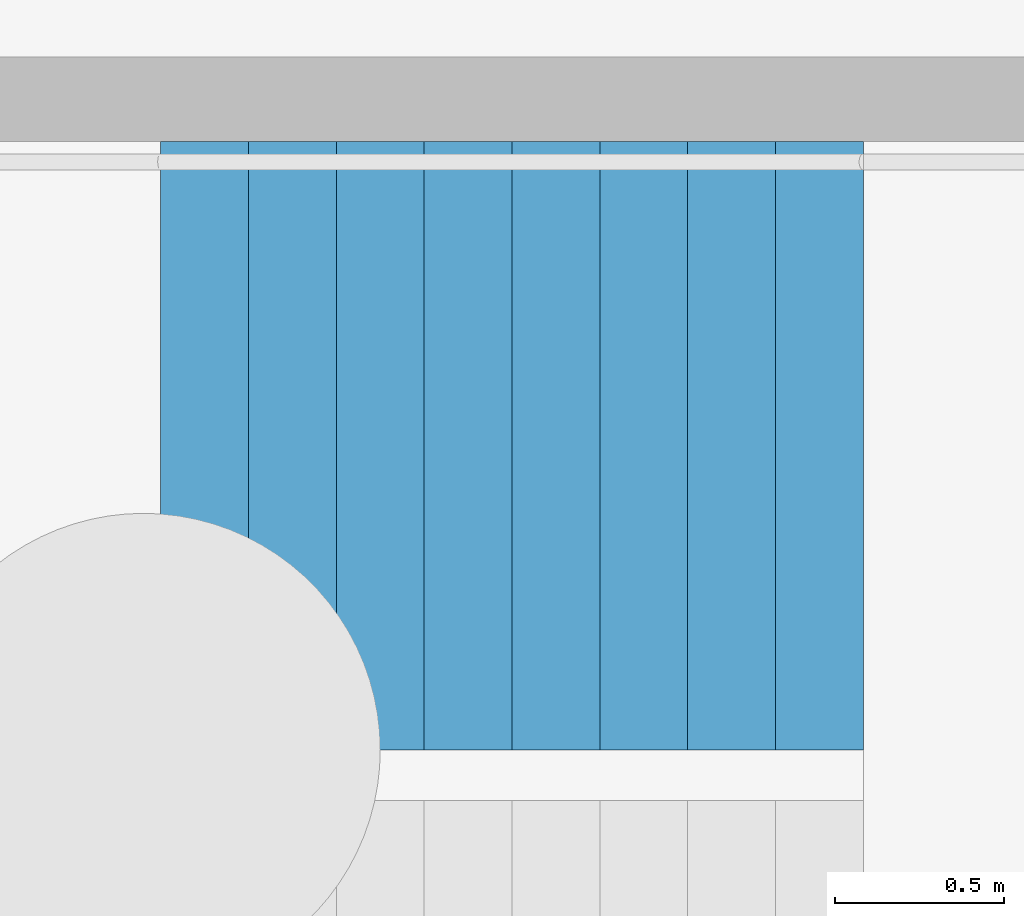
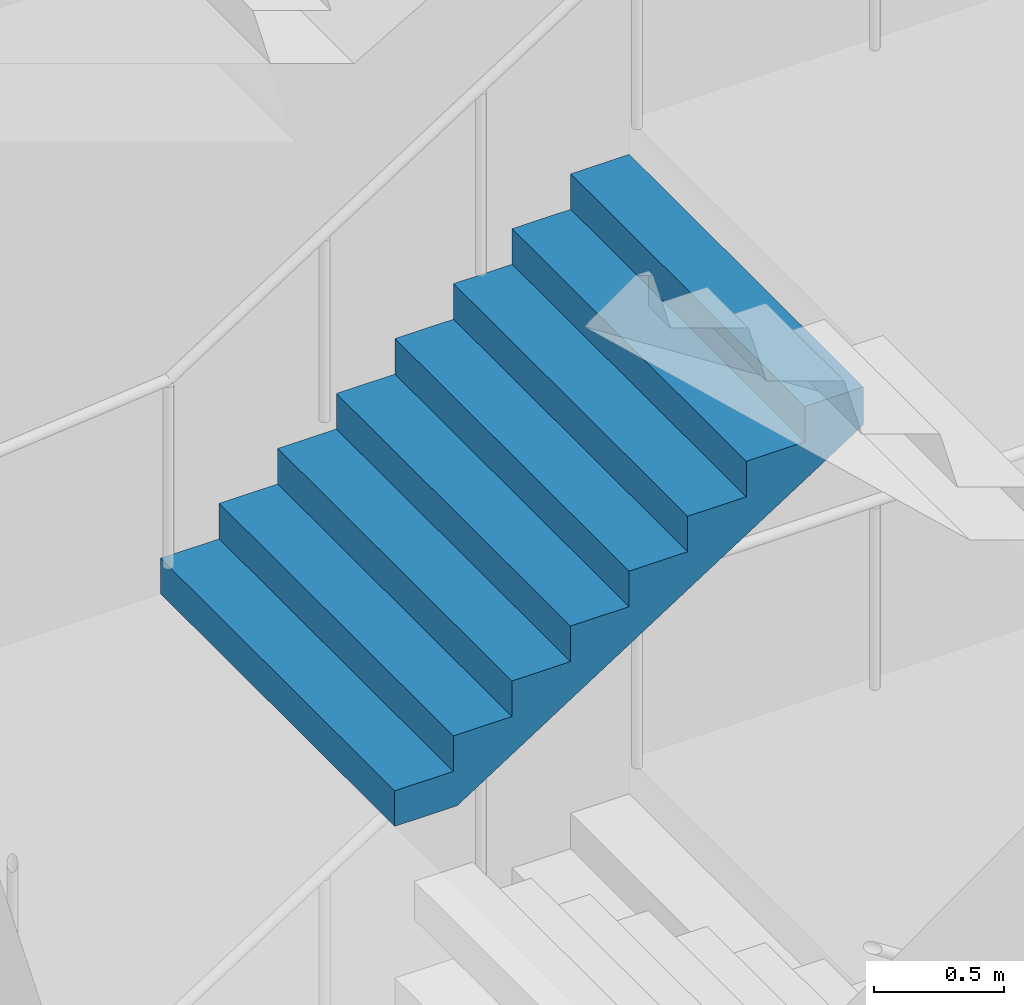
# One storey, part 76 of 113: 1 stair flight, 1 element without a shape of its own.
"""IFC4 building model written with IfcOpenShell, lengths in metres."""

from ifc_helpers import new_model, si_unit, direction, frame, origin, place, context, subcontext, project, spatial, triangles, material, type_object, element, aggregate, save


model = new_model("IFC4")

# Units and contexts
model_context = context("Model", 3, precision=1e-05, world=origin(), true_north=direction((0.0, 1.0)))
body_context = subcontext(model_context, "Body", "Model", "MODEL_VIEW")
ifc_project = project(units=[si_unit("LENGTHUNIT", "METRE"), si_unit("AREAUNIT", "SQUARE_METRE"), si_unit("VOLUMEUNIT", "CUBIC_METRE"), si_unit("PLANEANGLEUNIT", "RADIAN"), si_unit("MASSUNIT", "GRAM", prefix="KILO")], contexts=[model_context])

# Site, building, storey
site_placement = place(None, origin())
site = spatial("IfcSite", under=ifc_project, at=site_placement, CompositionType="ELEMENT")
building_placement = place(site_placement, origin())
building = spatial("IfcBuilding", under=site, at=building_placement, Name="Hakoniwa Tower and Hamabe Station Hall", CompositionType="ELEMENT")
storey_placement = place(building_placement, origin())
storey = spatial("IfcBuildingStorey", under=building, at=storey_placement, Name="L01", CompositionType="ELEMENT", Elevation=0.0)

# Stair, stair flight
ifc_material_1 = material(Name="Concrete C40", Category="concrete")
stair_type = type_object("IfcStairType", Name="ESCAPE STAIR 1800", PredefinedType="HALF_TURN_STAIR", material=ifc_material_1)
stair_placement = place(storey_placement, origin())
stair = element("IfcStair", 1, at=stair_placement, inside=storey, type_object=stair_type, Name="Escape stair ST-4 L01", PredefinedType="HALF_TURN_STAIR")
ifc_material_2 = material(Name="Concrete C40", Category="concrete")
stair_flight_type = type_object("IfcStairFlightType", Name="STAIR FLIGHT 1800", PredefinedType="STRAIGHT", material=ifc_material_2)
stair_flight_placement = place(storey_placement, frame((23.39990234375, -4.64990234375, 3.0), z_axis=(0.0, 0.0, 1.0), x_axis=(1.0, 0.0, 0.0)))
stair_flight = element("IfcStairFlight", 2, at=stair_flight_placement, type_object=stair_flight_type, Name="ST-4 flight 3", NumberOfRisers=9, NumberOfTreads=8, PredefinedType="STRAIGHT", RiserHeight=0.166666667, TreadLength=0.26, context=body_context, shape_type="Tessellation", body=[
    triangles([(0.0, 0.89990234375, 0.0), (0.260009765625, 0.89990234375, 0.0), (0.27783203125, 0.89990234375, 0.0), (0.52001953125, 0.89990234375, 0.1552734375), (0.780029296875, 0.89990234375, 0.322021484375), (1.0400390625, 0.89990234375, 0.488525390625), (1.300048828125, 0.89990234375, 0.6552734375), (1.56005859375, 0.89990234375, 0.822021484375), (1.820068359375, 0.89990234375, 0.988525390625), (2.080078125, 0.89990234375, 1.1552734375), (2.080078125, 0.89990234375, 1.333251953125), (1.820068359375, 0.89990234375, 1.333251953125), (1.820068359375, 0.89990234375, 1.166748046875), (1.56005859375, 0.89990234375, 1.166748046875), (1.56005859375, 0.89990234375, 1.0), (1.300048828125, 0.89990234375, 1.0), (1.300048828125, 0.89990234375, 0.833251953125), (1.0400390625, 0.89990234375, 0.833251953125), (1.0400390625, 0.89990234375, 0.666748046875), (0.780029296875, 0.89990234375, 0.666748046875), (0.780029296875, 0.89990234375, 0.5), (0.52001953125, 0.89990234375, 0.5), (0.52001953125, 0.89990234375, 0.333251953125), (0.27783203125, 0.89990234375, 0.333251953125), (0.260009765625, 0.89990234375, 0.333251953125), (0.260009765625, 0.89990234375, 0.166748046875), (0.0, 0.89990234375, 0.166748046875), (0.0, 0.06005859375, 0.0), (0.260009765625, 0.06005859375, 0.0), (0.27783203125, 0.06005859375, 0.0), (0.52001953125, 0.06005859375, 0.1552734375), (0.780029296875, 0.06005859375, 0.322021484375), (1.0400390625, 0.06005859375, 0.488525390625), (1.300048828125, 0.06005859375, 0.6552734375), (1.56005859375, 0.06005859375, 0.822021484375), (1.820068359375, 0.06005859375, 0.988525390625), (2.080078125, 0.06005859375, 1.1552734375), (2.080078125, 0.06005859375, 1.333251953125), (1.820068359375, 0.06005859375, 1.333251953125), (1.820068359375, 0.06005859375, 1.166748046875), (1.56005859375, 0.06005859375, 1.166748046875), (1.56005859375, 0.06005859375, 1.0), (1.300048828125, 0.06005859375, 1.0), (1.300048828125, 0.06005859375, 0.833251953125), (1.0400390625, 0.06005859375, 0.833251953125), (1.0400390625, 0.06005859375, 0.666748046875), (0.780029296875, 0.06005859375, 0.666748046875), (0.780029296875, 0.06005859375, 0.5), (0.52001953125, 0.06005859375, 0.5), (0.52001953125, 0.06005859375, 0.333251953125), (0.27783203125, 0.06005859375, 0.333251953125), (0.260009765625, 0.06005859375, 0.333251953125), (0.260009765625, 0.06005859375, 0.166748046875), (0.0, 0.06005859375, 0.166748046875), (0.0, 0.04296875, 0.0), (0.260009765625, 0.04296875, 0.0), (0.27783203125, 0.04296875, 0.0), (0.52001953125, 0.04296875, 0.1552734375), (0.780029296875, 0.04296875, 0.322021484375), (1.0400390625, 0.04296875, 0.488525390625), (1.300048828125, 0.04296875, 0.6552734375), (1.56005859375, 0.04296875, 0.822021484375), (1.820068359375, 0.04296875, 0.988525390625), (2.080078125, 0.04296875, 1.1552734375), (2.080078125, 0.04296875, 1.333251953125), (1.820068359375, 0.04296875, 1.333251953125), (1.820068359375, 0.04296875, 1.166748046875), (1.56005859375, 0.04296875, 1.166748046875), (1.56005859375, 0.04296875, 1.0), (1.300048828125, 0.04296875, 1.0), (1.300048828125, 0.04296875, 0.833251953125), (1.0400390625, 0.04296875, 0.833251953125), (1.0400390625, 0.04296875, 0.666748046875), (0.780029296875, 0.04296875, 0.666748046875), (0.780029296875, 0.04296875, 0.5), (0.52001953125, 0.04296875, 0.5), (0.52001953125, 0.04296875, 0.333251953125), (0.27783203125, 0.04296875, 0.333251953125), (0.260009765625, 0.04296875, 0.333251953125), (0.260009765625, 0.04296875, 0.166748046875), (0.0, 0.04296875, 0.166748046875), (0.0, 0.025634765625, 0.0), (0.260009765625, 0.025634765625, 0.0), (0.27783203125, 0.025634765625, 0.0), (0.52001953125, 0.025634765625, 0.1552734375), (0.780029296875, 0.025634765625, 0.322021484375), (1.0400390625, 0.025634765625, 0.488525390625), (1.300048828125, 0.025634765625, 0.6552734375), (1.56005859375, 0.025634765625, 0.822021484375), (1.820068359375, 0.025634765625, 0.988525390625), (2.080078125, 0.025634765625, 1.1552734375), (2.080078125, 0.025634765625, 1.333251953125), (1.820068359375, 0.025634765625, 1.333251953125), (1.820068359375, 0.025634765625, 1.166748046875), (1.56005859375, 0.025634765625, 1.166748046875), (1.56005859375, 0.025634765625, 1.0), (1.300048828125, 0.025634765625, 1.0), (1.300048828125, 0.025634765625, 0.833251953125), (1.0400390625, 0.025634765625, 0.833251953125), (1.0400390625, 0.025634765625, 0.666748046875), (0.780029296875, 0.025634765625, 0.666748046875), (0.780029296875, 0.025634765625, 0.5), (0.52001953125, 0.025634765625, 0.5), (0.52001953125, 0.025634765625, 0.333251953125), (0.27783203125, 0.025634765625, 0.333251953125), (0.260009765625, 0.025634765625, 0.333251953125), (0.260009765625, 0.025634765625, 0.166748046875), (0.0, 0.025634765625, 0.166748046875), (0.0, 0.008544921875, 0.0), (0.260009765625, 0.008544921875, 0.0), (0.27783203125, 0.008544921875, 0.0), (0.52001953125, 0.008544921875, 0.1552734375), (0.780029296875, 0.008544921875, 0.322021484375), (1.0400390625, 0.008544921875, 0.488525390625), (1.300048828125, 0.008544921875, 0.6552734375), (1.56005859375, 0.008544921875, 0.822021484375), (1.820068359375, 0.008544921875, 0.988525390625), (2.080078125, 0.008544921875, 1.1552734375), (2.080078125, 0.008544921875, 1.333251953125), (1.820068359375, 0.008544921875, 1.333251953125), (1.820068359375, 0.008544921875, 1.166748046875), (1.56005859375, 0.008544921875, 1.166748046875), (1.56005859375, 0.008544921875, 1.0), (1.300048828125, 0.008544921875, 1.0), (1.300048828125, 0.008544921875, 0.833251953125), (1.0400390625, 0.008544921875, 0.833251953125), (1.0400390625, 0.008544921875, 0.666748046875), (0.780029296875, 0.008544921875, 0.666748046875), (0.780029296875, 0.008544921875, 0.5), (0.52001953125, 0.008544921875, 0.5), (0.52001953125, 0.008544921875, 0.333251953125), (0.27783203125, 0.008544921875, 0.333251953125), (0.260009765625, 0.008544921875, 0.333251953125), (0.260009765625, 0.008544921875, 0.166748046875), (0.0, 0.008544921875, 0.166748046875), (0.0, -0.008544921875, 0.0), (0.260009765625, -0.008544921875, 0.0), (0.27783203125, -0.008544921875, 0.0), (0.52001953125, -0.008544921875, 0.1552734375), (0.780029296875, -0.008544921875, 0.322021484375), (1.0400390625, -0.008544921875, 0.488525390625), (1.300048828125, -0.008544921875, 0.6552734375), (1.56005859375, -0.008544921875, 0.822021484375), (1.820068359375, -0.008544921875, 0.988525390625), (2.080078125, -0.008544921875, 1.1552734375), (2.080078125, -0.008544921875, 1.333251953125), (1.820068359375, -0.008544921875, 1.333251953125), (1.820068359375, -0.008544921875, 1.166748046875), (1.56005859375, -0.008544921875, 1.166748046875), (1.56005859375, -0.008544921875, 1.0), (1.300048828125, -0.008544921875, 1.0), (1.300048828125, -0.008544921875, 0.833251953125), (1.0400390625, -0.008544921875, 0.833251953125), (1.0400390625, -0.008544921875, 0.666748046875), (0.780029296875, -0.008544921875, 0.666748046875), (0.780029296875, -0.008544921875, 0.5), (0.52001953125, -0.008544921875, 0.5), (0.52001953125, -0.008544921875, 0.333251953125), (0.27783203125, -0.008544921875, 0.333251953125), (0.260009765625, -0.008544921875, 0.333251953125), (0.260009765625, -0.008544921875, 0.166748046875), (0.0, -0.008544921875, 0.166748046875), (0.0, -0.025634765625, 0.0), (0.260009765625, -0.025634765625, 0.0), (0.27783203125, -0.025634765625, 0.0), (0.52001953125, -0.025634765625, 0.1552734375), (0.780029296875, -0.025634765625, 0.322021484375), (1.0400390625, -0.025634765625, 0.488525390625), (1.300048828125, -0.025634765625, 0.6552734375), (1.56005859375, -0.025634765625, 0.822021484375), (1.820068359375, -0.025634765625, 0.988525390625), (2.080078125, -0.025634765625, 1.1552734375), (2.080078125, -0.025634765625, 1.333251953125), (1.820068359375, -0.025634765625, 1.333251953125), (1.820068359375, -0.025634765625, 1.166748046875), (1.56005859375, -0.025634765625, 1.166748046875), (1.56005859375, -0.025634765625, 1.0), (1.300048828125, -0.025634765625, 1.0), (1.300048828125, -0.025634765625, 0.833251953125), (1.0400390625, -0.025634765625, 0.833251953125), (1.0400390625, -0.025634765625, 0.666748046875), (0.780029296875, -0.025634765625, 0.666748046875), (0.780029296875, -0.025634765625, 0.5), (0.52001953125, -0.025634765625, 0.5), (0.52001953125, -0.025634765625, 0.333251953125), (0.27783203125, -0.025634765625, 0.333251953125), (0.260009765625, -0.025634765625, 0.333251953125), (0.260009765625, -0.025634765625, 0.166748046875), (0.0, -0.025634765625, 0.166748046875), (0.0, -0.04296875, 0.0), (0.260009765625, -0.04296875, 0.0), (0.27783203125, -0.04296875, 0.0), (0.52001953125, -0.04296875, 0.1552734375), (0.780029296875, -0.04296875, 0.322021484375), (1.0400390625, -0.04296875, 0.488525390625), (1.300048828125, -0.04296875, 0.6552734375), (1.56005859375, -0.04296875, 0.822021484375), (1.820068359375, -0.04296875, 0.988525390625), (2.080078125, -0.04296875, 1.1552734375), (2.080078125, -0.04296875, 1.333251953125), (1.820068359375, -0.04296875, 1.333251953125), (1.820068359375, -0.04296875, 1.166748046875), (1.56005859375, -0.04296875, 1.166748046875), (1.56005859375, -0.04296875, 1.0), (1.300048828125, -0.04296875, 1.0), (1.300048828125, -0.04296875, 0.833251953125), (1.0400390625, -0.04296875, 0.833251953125), (1.0400390625, -0.04296875, 0.666748046875), (0.780029296875, -0.04296875, 0.666748046875), (0.780029296875, -0.04296875, 0.5), (0.52001953125, -0.04296875, 0.5), (0.52001953125, -0.04296875, 0.333251953125), (0.27783203125, -0.04296875, 0.333251953125), (0.260009765625, -0.04296875, 0.333251953125), (0.260009765625, -0.04296875, 0.166748046875), (0.0, -0.04296875, 0.166748046875), (0.0, -0.06005859375, 0.0), (0.260009765625, -0.06005859375, 0.0), (0.27783203125, -0.06005859375, 0.0), (0.52001953125, -0.06005859375, 0.1552734375), (0.780029296875, -0.06005859375, 0.322021484375), (1.0400390625, -0.06005859375, 0.488525390625), (1.300048828125, -0.06005859375, 0.6552734375), (1.56005859375, -0.06005859375, 0.822021484375), (1.820068359375, -0.06005859375, 0.988525390625), (2.080078125, -0.06005859375, 1.1552734375), (2.080078125, -0.06005859375, 1.333251953125), (1.820068359375, -0.06005859375, 1.333251953125), (1.820068359375, -0.06005859375, 1.166748046875), (1.56005859375, -0.06005859375, 1.166748046875), (1.56005859375, -0.06005859375, 1.0), (1.300048828125, -0.06005859375, 1.0), (1.300048828125, -0.06005859375, 0.833251953125), (1.0400390625, -0.06005859375, 0.833251953125), (1.0400390625, -0.06005859375, 0.666748046875), (0.780029296875, -0.06005859375, 0.666748046875), (0.780029296875, -0.06005859375, 0.5), (0.52001953125, -0.06005859375, 0.5), (0.52001953125, -0.06005859375, 0.333251953125), (0.27783203125, -0.06005859375, 0.333251953125), (0.260009765625, -0.06005859375, 0.333251953125), (0.260009765625, -0.06005859375, 0.166748046875), (0.0, -0.06005859375, 0.166748046875), (0.0, -0.89990234375, 0.0), (0.260009765625, -0.89990234375, 0.0), (0.27783203125, -0.89990234375, 0.0), (0.52001953125, -0.89990234375, 0.1552734375), (0.780029296875, -0.89990234375, 0.322021484375), (1.0400390625, -0.89990234375, 0.488525390625), (1.300048828125, -0.89990234375, 0.6552734375), (1.56005859375, -0.89990234375, 0.822021484375), (1.820068359375, -0.89990234375, 0.988525390625), (2.080078125, -0.89990234375, 1.1552734375), (2.080078125, -0.89990234375, 1.333251953125), (1.820068359375, -0.89990234375, 1.333251953125), (1.820068359375, -0.89990234375, 1.166748046875), (1.56005859375, -0.89990234375, 1.166748046875), (1.56005859375, -0.89990234375, 1.0), (1.300048828125, -0.89990234375, 1.0), (1.300048828125, -0.89990234375, 0.833251953125), (1.0400390625, -0.89990234375, 0.833251953125), (1.0400390625, -0.89990234375, 0.666748046875), (0.780029296875, -0.89990234375, 0.666748046875), (0.780029296875, -0.89990234375, 0.5), (0.52001953125, -0.89990234375, 0.5), (0.52001953125, -0.89990234375, 0.333251953125), (0.27783203125, -0.89990234375, 0.333251953125), (0.260009765625, -0.89990234375, 0.333251953125), (0.260009765625, -0.89990234375, 0.166748046875), (0.0, -0.89990234375, 0.166748046875)], [[2, 27, 26], [245, 269, 270], [2, 1, 27], [245, 270, 244], [3, 25, 24], [246, 267, 268], [3, 26, 25], [246, 268, 269], [3, 2, 26], [246, 269, 245], [4, 24, 23], [247, 266, 267], [4, 3, 24], [247, 267, 246], [5, 22, 21], [248, 264, 265], [5, 23, 22], [248, 265, 266], [5, 4, 23], [248, 266, 247], [6, 20, 19], [249, 262, 263], [6, 21, 20], [249, 263, 264], [6, 5, 21], [249, 264, 248], [7, 18, 17], [250, 260, 261], [7, 19, 18], [250, 261, 262], [7, 6, 19], [250, 262, 249], [8, 16, 15], [251, 258, 259], [8, 17, 16], [251, 259, 260], [8, 7, 17], [251, 260, 250], [9, 14, 13], [252, 256, 257], [9, 15, 14], [252, 257, 258], [9, 8, 15], [252, 258, 251], [10, 12, 11], [253, 254, 255], [10, 13, 12], [253, 255, 256], [10, 9, 13], [253, 256, 252], [1, 2, 29], [1, 29, 28], [28, 29, 56], [28, 56, 55], [55, 56, 83], [55, 83, 82], [82, 83, 110], [82, 110, 109], [109, 110, 137], [109, 137, 136], [136, 137, 164], [136, 164, 163], [163, 164, 191], [163, 191, 190], [190, 191, 218], [190, 218, 217], [217, 218, 245], [217, 245, 244], [2, 3, 30], [2, 30, 29], [29, 30, 57], [29, 57, 56], [56, 57, 84], [56, 84, 83], [83, 84, 111], [83, 111, 110], [110, 111, 138], [110, 138, 137], [137, 138, 165], [137, 165, 164], [164, 165, 192], [164, 192, 191], [191, 192, 219], [191, 219, 218], [218, 219, 246], [218, 246, 245], [3, 4, 31], [3, 31, 30], [30, 31, 58], [30, 58, 57], [57, 58, 85], [57, 85, 84], [84, 85, 112], [84, 112, 111], [111, 112, 139], [111, 139, 138], [138, 139, 166], [138, 166, 165], [165, 166, 193], [165, 193, 192], [192, 193, 220], [192, 220, 219], [219, 220, 247], [219, 247, 246], [4, 5, 32], [4, 32, 31], [31, 32, 59], [31, 59, 58], [58, 59, 86], [58, 86, 85], [85, 86, 113], [85, 113, 112], [112, 113, 140], [112, 140, 139], [139, 140, 167], [139, 167, 166], [166, 167, 194], [166, 194, 193], [193, 194, 221], [193, 221, 220], [220, 221, 248], [220, 248, 247], [5, 6, 33], [5, 33, 32], [32, 33, 60], [32, 60, 59], [59, 60, 87], [59, 87, 86], [86, 87, 114], [86, 114, 113], [113, 114, 141], [113, 141, 140], [140, 141, 168], [140, 168, 167], [167, 168, 195], [167, 195, 194], [194, 195, 222], [194, 222, 221], [221, 222, 249], [221, 249, 248], [6, 7, 34], [6, 34, 33], [33, 34, 61], [33, 61, 60], [60, 61, 88], [60, 88, 87], [87, 88, 115], [87, 115, 114], [114, 115, 142], [114, 142, 141], [141, 142, 169], [141, 169, 168], [168, 169, 196], [168, 196, 195], [195, 196, 223], [195, 223, 222], [222, 223, 250], [222, 250, 249], [7, 8, 35], [7, 35, 34], [34, 35, 62], [34, 62, 61], [61, 62, 89], [61, 89, 88], [88, 89, 116], [88, 116, 115], [115, 116, 143], [115, 143, 142], [142, 143, 170], [142, 170, 169], [169, 170, 197], [169, 197, 196], [196, 197, 224], [196, 224, 223], [223, 224, 251], [223, 251, 250], [8, 9, 36], [8, 36, 35], [35, 36, 63], [35, 63, 62], [62, 63, 90], [62, 90, 89], [89, 90, 117], [89, 117, 116], [116, 117, 144], [116, 144, 143], [143, 144, 171], [143, 171, 170], [170, 171, 198], [170, 198, 197], [197, 198, 225], [197, 225, 224], [224, 225, 252], [224, 252, 251], [9, 10, 37], [9, 37, 36], [36, 37, 64], [36, 64, 63], [63, 64, 91], [63, 91, 90], [90, 91, 118], [90, 118, 117], [117, 118, 145], [117, 145, 144], [144, 145, 172], [144, 172, 171], [171, 172, 199], [171, 199, 198], [198, 199, 226], [198, 226, 225], [225, 226, 253], [225, 253, 252], [10, 11, 38], [10, 38, 37], [37, 38, 65], [37, 65, 64], [64, 65, 92], [64, 92, 91], [91, 92, 119], [91, 119, 118], [118, 119, 146], [118, 146, 145], [145, 146, 173], [145, 173, 172], [172, 173, 200], [172, 200, 199], [199, 200, 227], [199, 227, 226], [226, 227, 254], [226, 254, 253], [11, 12, 39], [11, 39, 38], [38, 39, 66], [38, 66, 65], [65, 66, 93], [65, 93, 92], [92, 93, 120], [92, 120, 119], [119, 120, 147], [119, 147, 146], [146, 147, 174], [146, 174, 173], [173, 174, 201], [173, 201, 200], [200, 201, 228], [200, 228, 227], [227, 228, 255], [227, 255, 254], [12, 13, 40], [12, 40, 39], [39, 40, 67], [39, 67, 66], [66, 67, 94], [66, 94, 93], [93, 94, 121], [93, 121, 120], [120, 121, 148], [120, 148, 147], [147, 148, 175], [147, 175, 174], [174, 175, 202], [174, 202, 201], [201, 202, 229], [201, 229, 228], [228, 229, 256], [228, 256, 255], [13, 14, 41], [13, 41, 40], [40, 41, 68], [40, 68, 67], [67, 68, 95], [67, 95, 94], [94, 95, 122], [94, 122, 121], [121, 122, 149], [121, 149, 148], [148, 149, 176], [148, 176, 175], [175, 176, 203], [175, 203, 202], [202, 203, 230], [202, 230, 229], [229, 230, 257], [229, 257, 256], [14, 15, 42], [14, 42, 41], [41, 42, 69], [41, 69, 68], [68, 69, 96], [68, 96, 95], [95, 96, 123], [95, 123, 122], [122, 123, 150], [122, 150, 149], [149, 150, 177], [149, 177, 176], [176, 177, 204], [176, 204, 203], [203, 204, 231], [203, 231, 230], [230, 231, 258], [230, 258, 257], [15, 16, 43], [15, 43, 42], [42, 43, 70], [42, 70, 69], [69, 70, 97], [69, 97, 96], [96, 97, 124], [96, 124, 123], [123, 124, 151], [123, 151, 150], [150, 151, 178], [150, 178, 177], [177, 178, 205], [177, 205, 204], [204, 205, 232], [204, 232, 231], [231, 232, 259], [231, 259, 258], [16, 17, 44], [16, 44, 43], [43, 44, 71], [43, 71, 70], [70, 71, 98], [70, 98, 97], [97, 98, 125], [97, 125, 124], [124, 125, 152], [124, 152, 151], [151, 152, 179], [151, 179, 178], [178, 179, 206], [178, 206, 205], [205, 206, 233], [205, 233, 232], [232, 233, 260], [232, 260, 259], [17, 18, 45], [17, 45, 44], [44, 45, 72], [44, 72, 71], [71, 72, 99], [71, 99, 98], [98, 99, 126], [98, 126, 125], [125, 126, 153], [125, 153, 152], [152, 153, 180], [152, 180, 179], [179, 180, 207], [179, 207, 206], [206, 207, 234], [206, 234, 233], [233, 234, 261], [233, 261, 260], [18, 19, 46], [18, 46, 45], [45, 46, 73], [45, 73, 72], [72, 73, 100], [72, 100, 99], [99, 100, 127], [99, 127, 126], [126, 127, 154], [126, 154, 153], [153, 154, 181], [153, 181, 180], [180, 181, 208], [180, 208, 207], [207, 208, 235], [207, 235, 234], [234, 235, 262], [234, 262, 261], [19, 20, 47], [19, 47, 46], [46, 47, 74], [46, 74, 73], [73, 74, 101], [73, 101, 100], [100, 101, 128], [100, 128, 127], [127, 128, 155], [127, 155, 154], [154, 155, 182], [154, 182, 181], [181, 182, 209], [181, 209, 208], [208, 209, 236], [208, 236, 235], [235, 236, 263], [235, 263, 262], [20, 21, 48], [20, 48, 47], [47, 48, 75], [47, 75, 74], [74, 75, 102], [74, 102, 101], [101, 102, 129], [101, 129, 128], [128, 129, 156], [128, 156, 155], [155, 156, 183], [155, 183, 182], [182, 183, 210], [182, 210, 209], [209, 210, 237], [209, 237, 236], [236, 237, 264], [236, 264, 263], [21, 22, 49], [21, 49, 48], [48, 49, 76], [48, 76, 75], [75, 76, 103], [75, 103, 102], [102, 103, 130], [102, 130, 129], [129, 130, 157], [129, 157, 156], [156, 157, 184], [156, 184, 183], [183, 184, 211], [183, 211, 210], [210, 211, 238], [210, 238, 237], [237, 238, 265], [237, 265, 264], [22, 23, 50], [22, 50, 49], [49, 50, 77], [49, 77, 76], [76, 77, 104], [76, 104, 103], [103, 104, 131], [103, 131, 130], [130, 131, 158], [130, 158, 157], [157, 158, 185], [157, 185, 184], [184, 185, 212], [184, 212, 211], [211, 212, 239], [211, 239, 238], [238, 239, 266], [238, 266, 265], [23, 24, 51], [23, 51, 50], [50, 51, 78], [50, 78, 77], [77, 78, 105], [77, 105, 104], [104, 105, 132], [104, 132, 131], [131, 132, 159], [131, 159, 158], [158, 159, 186], [158, 186, 185], [185, 186, 213], [185, 213, 212], [212, 213, 240], [212, 240, 239], [239, 240, 267], [239, 267, 266], [24, 25, 52], [24, 52, 51], [51, 52, 79], [51, 79, 78], [78, 79, 106], [78, 106, 105], [105, 106, 133], [105, 133, 132], [132, 133, 160], [132, 160, 159], [159, 160, 187], [159, 187, 186], [186, 187, 214], [186, 214, 213], [213, 214, 241], [213, 241, 240], [240, 241, 268], [240, 268, 267], [25, 26, 53], [25, 53, 52], [52, 53, 80], [52, 80, 79], [79, 80, 107], [79, 107, 106], [106, 107, 134], [106, 134, 133], [133, 134, 161], [133, 161, 160], [160, 161, 188], [160, 188, 187], [187, 188, 215], [187, 215, 214], [214, 215, 242], [214, 242, 241], [241, 242, 269], [241, 269, 268], [26, 27, 54], [26, 54, 53], [53, 54, 81], [53, 81, 80], [80, 81, 108], [80, 108, 107], [107, 108, 135], [107, 135, 134], [134, 135, 162], [134, 162, 161], [161, 162, 189], [161, 189, 188], [188, 189, 216], [188, 216, 215], [215, 216, 243], [215, 243, 242], [242, 243, 270], [242, 270, 269], [27, 1, 28], [27, 28, 54], [54, 28, 55], [54, 55, 81], [81, 55, 82], [81, 82, 108], [108, 82, 109], [108, 109, 135], [135, 109, 136], [135, 136, 162], [162, 136, 163], [162, 163, 189], [189, 163, 190], [189, 190, 216], [216, 190, 217], [216, 217, 243], [243, 217, 244], [243, 244, 270]], closed=True),
])
aggregate(stair, [stair_flight])

save(model, "model.ifc")
